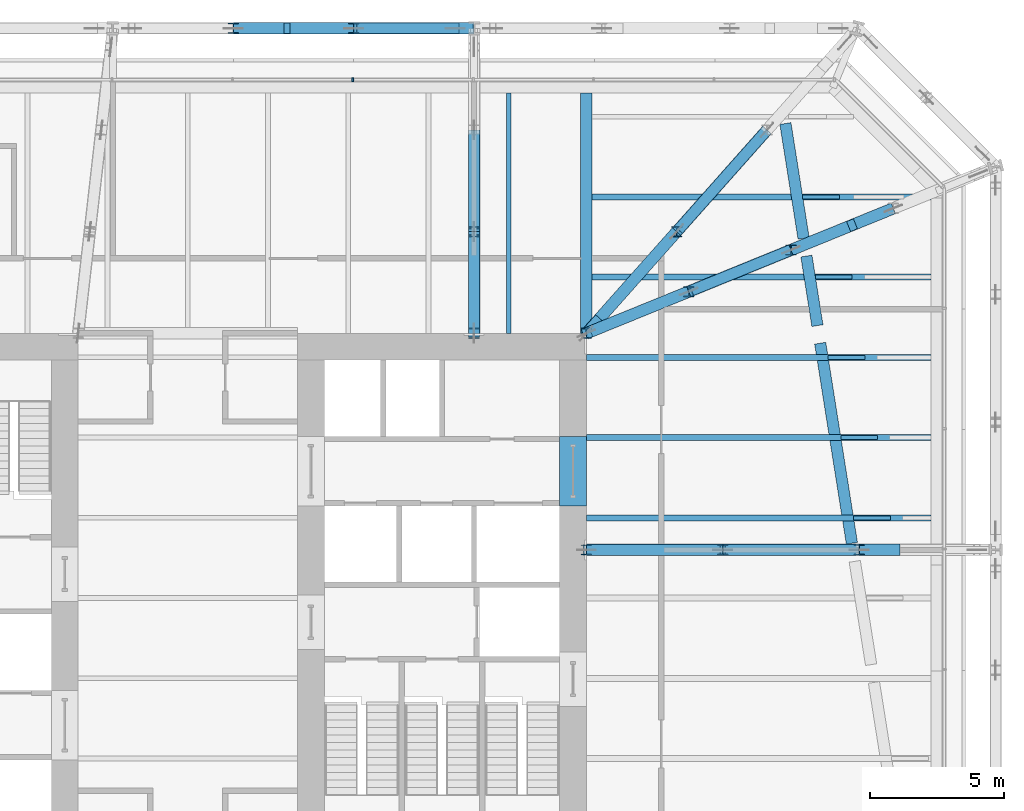
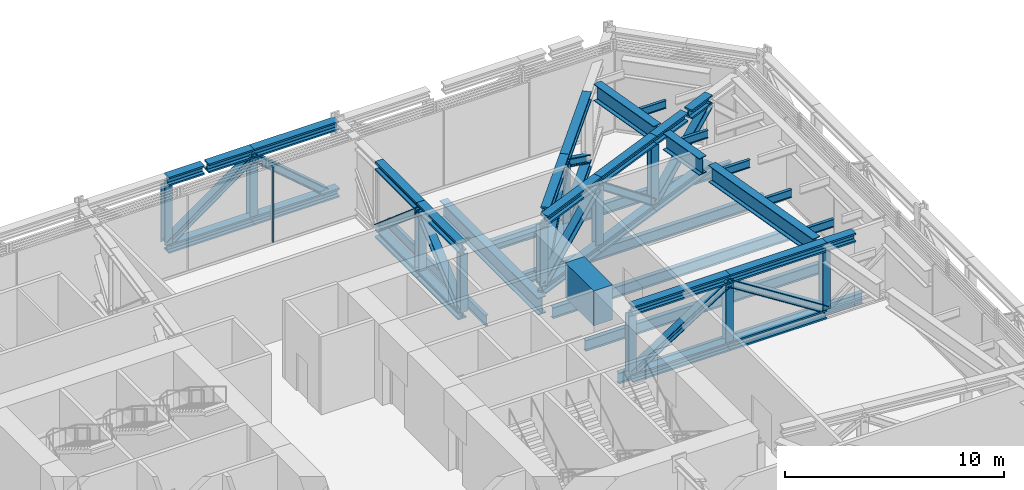
# One storey, part 17 of 31: 41 beams, 23 members, 1 element without a shape of its own.
"""IFC4 building model written with IfcOpenShell, lengths in metres."""

from ifc_helpers import new_model, si_unit, direction, frame, origin, origin_2d, place, context, subcontext, project, spatial, rectangle, i_section, extrude, material, layer, layer_set, material_profile, profile_set, type_object, element, aggregate, save


model = new_model("IFC4")

# Units and contexts
model_context = context("Model", 3, precision=1e-05, world=origin(), true_north=direction((0.0, 1.0)))
body_context = subcontext(model_context, "Body", "Model", "MODEL_VIEW")
ifc_project = project(units=[si_unit("LENGTHUNIT", "METRE"), si_unit("AREAUNIT", "SQUARE_METRE"), si_unit("VOLUMEUNIT", "CUBIC_METRE"), si_unit("PLANEANGLEUNIT", "RADIAN"), si_unit("MASSUNIT", "GRAM", prefix="KILO")], contexts=[model_context])

# Site, building, storey
site_placement = place(None, origin())
site = spatial("IfcSite", under=ifc_project, at=site_placement, CompositionType="ELEMENT")
building_placement = place(site_placement, origin())
building = spatial("IfcBuilding", under=site, at=building_placement, Name="Millrace Tower", CompositionType="ELEMENT")
storey_placement = place(building_placement, frame((0.0, 0.0, 120.39990234375)))
storey = spatial("IfcBuildingStorey", under=building, at=storey_placement, Name="L26", CompositionType="ELEMENT", Elevation=120.39990234375)

# Beams
ifc_material_1 = material(Name="Steel ASTM A992 Grade 50", Category="steel")
ifc_material_profile_1 = material_profile(ifc_material_1, i_section(OverallWidth=0.431884765625, OverallDepth=0.497802734375, WebThickness=0.0556640625, FlangeThickness=0.0888671875, FilletRadius=0.01513671875, at=origin_2d()))
ifc_profile_set_1 = profile_set([ifc_material_profile_1], Name="Steel ASTM A992 Grade 50")
beam_type_1 = type_object("IfcBeamType", Name="Belt truss chord W14x500", PredefinedType="BEAM", material=ifc_profile_set_1)
for number, where, z_axis, x_axis, name in (
    (1, (10.699951171875, 21.300048828125, 0.2490234375), (-1.0, 0.0, 0.0), (0.0, -1.0, 0.0), "BLT-L26-R11-B01"),
    (2, (6.199951171875, 21.300048828125, 0.2490234375), (-1.0, 0.0, 0.0), (0.0, -1.0, 0.0), "BLT-L26-R11-B02"),
):
    element("IfcBeam", number, at=place(storey_placement, frame(where, z_axis=z_axis, x_axis=x_axis)), inside=storey, type_object=beam_type_1, Name=name, PredefinedType="BEAM", context=body_context, shape_type="SweptSolid", body=[
        extrude(i_section(OverallWidth=0.431884765625, OverallDepth=0.497802734375, WebThickness=0.0556640625, FlangeThickness=0.0888671875, FilletRadius=0.01513671875, at=origin_2d()), origin(), (0.0, 0.0, 1.0), 4.5),
    ])
beam_1_placement = place(storey_placement, frame((10.654541015625, 21.300048828125, 3.9912109375), z_axis=(-1.0, 0.0, 0.0), x_axis=(0.0, -1.0, 0.0)))
element("IfcBeam", 3, at=beam_1_placement, inside=storey, type_object=beam_type_1, Name="BLT-L26-R11-T01", PredefinedType="BEAM", context=body_context, shape_type="SweptSolid", body=[
    extrude(i_section(OverallWidth=0.431884765625, OverallDepth=0.497802734375, WebThickness=0.0556640625, FlangeThickness=0.0888671875, FilletRadius=0.01513671875, at=origin_2d()), origin(), (0.0, 0.0, 1.0), 4.45458984375),
])
beam_2_placement = place(storey_placement, frame((6.199951171875, 21.300048828125, 3.9912109375), z_axis=(-1.0, 0.0, 0.0), x_axis=(0.0, -1.0, 0.0)))
element("IfcBeam", 4, at=beam_2_placement, inside=storey, type_object=beam_type_1, Name="BLT-L26-R11-T02-a", PredefinedType="BEAM", context=body_context, shape_type="SweptSolid", body=[
    extrude(i_section(OverallWidth=0.431884765625, OverallDepth=0.497802734375, WebThickness=0.0556640625, FlangeThickness=0.0888671875, FilletRadius=0.01513671875, at=origin_2d()), origin(), (0.0, 0.0, 1.0), 2.381591796875),
])
beam_3_placement = place(storey_placement, frame((3.590087890625, 21.300048828125, 3.9912109375), z_axis=(-1.0, 0.0, 0.0), x_axis=(0.0, -1.0, 0.0)))
element("IfcBeam", 5, at=beam_3_placement, inside=storey, type_object=beam_type_1, Name="BLT-L26-R11-T02-b", PredefinedType="BEAM", context=body_context, shape_type="SweptSolid", body=[
    extrude(i_section(OverallWidth=0.431884765625, OverallDepth=0.497802734375, WebThickness=0.0556640625, FlangeThickness=0.0888671875, FilletRadius=0.01513671875, at=origin_2d()), origin(), (0.0, 0.0, 1.0), 1.89013671875),
])

# Members
ifc_material_2 = material(Name="Steel ASTM A992 Grade 50", Category="steel")
ifc_material_profile_2 = material_profile(ifc_material_2, i_section(OverallWidth=0.4013671875, OverallDepth=0.398681640625, WebThickness=0.02490234375, FlangeThickness=0.03955078125, FilletRadius=0.01513671875, at=origin_2d()))
ifc_profile_set_2 = profile_set([ifc_material_profile_2], Name="Steel ASTM A992 Grade 50")
member_type_1 = type_object("IfcMemberType", Name="Belt truss diagonal W14x211", PredefinedType="BRACE", material=ifc_profile_set_2)
member_1_placement = place(storey_placement, frame((10.0, 21.300048828125, 0.498046875), z_axis=(-0.760545081281, 0.0, 0.649285129461), x_axis=(0.0, -1.0, 0.0)))
element("IfcMember", 6, at=member_1_placement, inside=storey, type_object=member_type_1, Name="BLT-L26-R11-D01", PredefinedType="BRACE", context=body_context, shape_type="SweptSolid", body=[
    extrude(i_section(OverallWidth=0.4013671875, OverallDepth=0.398681640625, WebThickness=0.02490234375, FlangeThickness=0.03955078125, FilletRadius=0.01513671875, at=origin_2d()), origin(), (0.0, 0.0, 1.0), 4.99658203125),
])
member_2_placement = place(storey_placement, frame((1.699951171875, 21.300048828125, 0.498046875), z_axis=(0.811180262828, 0.0, 0.584796187742), x_axis=(0.0, 1.0, 0.0)))
element("IfcMember", 7, at=member_2_placement, inside=storey, type_object=member_type_1, Name="BLT-L26-R11-D02", PredefinedType="BRACE", context=body_context, shape_type="SweptSolid", body=[
    extrude(i_section(OverallWidth=0.4013671875, OverallDepth=0.398681640625, WebThickness=0.02490234375, FlangeThickness=0.03955078125, FilletRadius=0.01513671875, at=origin_2d()), origin(), (0.0, 0.0, 1.0), 5.54736328125),
])
ifc_material_3 = material(Name="Steel ASTM A992 Grade 50", Category="steel")
ifc_material_profile_3 = material_profile(ifc_material_3, i_section(OverallWidth=0.398681640625, OverallDepth=0.385986328125, WebThickness=0.02099609375, FlangeThickness=0.033203125, FilletRadius=0.01513671875, at=origin_2d()))
ifc_profile_set_3 = profile_set([ifc_material_profile_3], Name="Steel ASTM A992 Grade 50")
member_type_2 = type_object("IfcMemberType", Name="Belt truss post W14x176", PredefinedType="POST", material=ifc_profile_set_3)
for number, where, z_axis, x_axis, name in (
    (8, (6.199951171875, 21.300048828125, 0.498046875), (0.0, 0.0, 1.0), (1.0, 0.0, 0.0), "BLT-L26-R11-V01"),
    (9, (1.699951171875, 21.300048828125, 0.498046875), (0.0, 0.0, 1.0), (1.0, 0.0, 0.0), "BLT-L26-R11-V02"),
):
    element("IfcMember", number, at=place(storey_placement, frame(where, z_axis=z_axis, x_axis=x_axis)), inside=storey, type_object=member_type_2, Name=name, PredefinedType="POST", context=body_context, shape_type="SweptSolid", body=[
        extrude(i_section(OverallWidth=0.398681640625, OverallDepth=0.385986328125, WebThickness=0.02099609375, FlangeThickness=0.033203125, FilletRadius=0.01513671875, at=origin_2d()), origin(), (0.0, 0.0, 1.0), 3.244140625),
    ])

# Curtain wall, member
ifc_material_4 = material(Name="Aluminium and glass", Category="aluminium")
ifc_layer = layer(ifc_material_4, 0.14990234375)
ifc_layer_set = layer_set([ifc_layer], Name="Aluminium and glass")
curtain_wall_type = type_object("IfcCurtainWallType", Name="CW-5 truss and plant storey louvred infill", PredefinedType="NOTDEFINED", material=ifc_layer_set)
curtain_wall_placement = place(storey_placement, origin())
curtain_wall = element("IfcCurtainWall", 10, at=curtain_wall_placement, inside=storey, type_object=curtain_wall_type, Name="Curtain wall B-F06 L26", PredefinedType="NOTDEFINED")
ifc_material_5 = material(Name="Aluminium", Category="aluminium")
ifc_material_profile_4 = material_profile(ifc_material_5, rectangle(XDim=0.06494140625, YDim=0.14990234375, at=origin_2d()))
ifc_profile_set_4 = profile_set([ifc_material_profile_4], Name="Aluminium")
member_type_3 = type_object("IfcMemberType", Name="CW-5 truss and plant storey louvred infill mullion", PredefinedType="MULLION", material=ifc_profile_set_4)
member_3_placement = place(storey_placement, frame((6.16748046875, 19.375, 0.14013671875), z_axis=(0.0, 0.0, 1.0), x_axis=(-1.0, 0.0, 0.0)))
member_3 = element("IfcMember", 11, at=member_3_placement, type_object=member_type_3, Name="CW5 mullion B-F06.5", PredefinedType="MULLION", context=body_context, shape_type="SweptSolid", body=[
    extrude(rectangle(XDim=0.06494140625, YDim=0.14990234375, at=origin_2d()), origin(), (0.0, 0.0, 1.0), 4.199951171875),
])
aggregate(curtain_wall, [member_3])

# Beams
ifc_material_6 = material(Name="Concrete C80", Category="concrete")
ifc_material_profile_5 = material_profile(ifc_material_6, rectangle(XDim=1.0, YDim=1.93994140625, at=origin_2d()))
ifc_profile_set_5 = profile_set([ifc_material_profile_5], Name="Concrete C80")
beam_type_2 = type_object("IfcBeamType", Name="Coupling beam 1000 x 1940 Concrete C80, 2000 opening", PredefinedType="BEAM", material=ifc_profile_set_5)
beam_4_placement = place(storey_placement, frame((14.39990234375, 6.050048828125, 3.3701171875), z_axis=(0.0, -1.0, 0.0), x_axis=(1.0, 0.0, 0.0)))
element("IfcBeam", 12, at=beam_4_placement, inside=storey, type_object=beam_type_2, Name="Coupling beam E L26", PredefinedType="BEAM", context=body_context, shape_type="SweptSolid", body=[
    extrude(rectangle(XDim=1.0, YDim=1.93994140625, at=origin_2d()), origin(), (0.0, 0.0, 1.0), 2.60009765625),
])
ifc_material_7 = material(Name="Steel ASTM A992 Grade 50", Category="steel")
ifc_material_profile_6 = material_profile(ifc_material_7, i_section(OverallWidth=0.15234375, OverallDepth=0.449462890625, WebThickness=0.007568359375, FlangeThickness=0.0107421875, FilletRadius=0.01025390625, at=origin_2d()))
ifc_profile_set_6 = profile_set([ifc_material_profile_6], Name="Steel ASTM A992 Grade 50")
beam_type_3 = type_object("IfcBeamType", Name="Floor beam W18x35", PredefinedType="JOIST", material=ifc_profile_set_6)
beam_5_placement = place(storey_placement, frame((24.88916015625, 3.0, 4.115234375), z_axis=(1.0, 0.0, 0.0), x_axis=(0.0, 1.0, 0.0)))
element("IfcBeam", 13, at=beam_5_placement, inside=storey, type_object=beam_type_3, Name="BM-B-L26-R2-S005-a", PredefinedType="JOIST", context=body_context, shape_type="SweptSolid", body=[
    extrude(i_section(OverallWidth=0.15234375, OverallDepth=0.449462890625, WebThickness=0.007568359375, FlangeThickness=0.0107421875, FilletRadius=0.01025390625, at=origin_2d()), origin(), (0.0, 0.0, 1.0), 1.37158203125),
])
for number, where, z_axis, x_axis, name in (
    (14, (24.4140625, 6.0, 4.115234375), (1.0, 0.0, 0.0), (0.0, 1.0, 0.0), "BM-B-L26-R2-S006-a"),
    (15, (23.93896484375, 9.0, 4.115234375), (1.0, 0.0, 0.0), (0.0, 1.0, 0.0), "BM-B-L26-R2-S007-a"),
    (16, (23.4638671875, 12.0, 4.115234375), (1.0, 0.0, 0.0), (0.0, 1.0, 0.0), "BM-B-L26-R2-S008-a"),
):
    element("IfcBeam", number, at=place(storey_placement, frame(where, z_axis=z_axis, x_axis=x_axis)), inside=storey, type_object=beam_type_3, Name=name, PredefinedType="JOIST", context=body_context, shape_type="SweptSolid", body=[
        extrude(i_section(OverallWidth=0.15234375, OverallDepth=0.449462890625, WebThickness=0.007568359375, FlangeThickness=0.0107421875, FilletRadius=0.01025390625, at=origin_2d()), origin(), (0.0, 0.0, 1.0), 1.371337890625),
    ])
beam_6_placement = place(storey_placement, frame((22.988525390625, 15.0, 4.115234375), z_axis=(1.0, 0.0, 0.0), x_axis=(0.0, 1.0, 0.0)))
element("IfcBeam", 17, at=beam_6_placement, inside=storey, type_object=beam_type_3, Name="BM-B-L26-R2-S009-a", PredefinedType="JOIST", context=body_context, shape_type="SweptSolid", body=[
    extrude(i_section(OverallWidth=0.15234375, OverallDepth=0.449462890625, WebThickness=0.007568359375, FlangeThickness=0.0107421875, FilletRadius=0.01025390625, at=origin_2d()), origin(), (0.0, 0.0, 1.0), 1.37158203125),
])
ifc_material_8 = material(Name="Steel ASTM A992 Grade 50", Category="steel")
ifc_material_profile_7 = material_profile(ifc_material_8, i_section(OverallWidth=0.177978515625, OverallDepth=0.599365234375, WebThickness=0.010009765625, FlangeThickness=0.012939453125, FilletRadius=0.012939453125, at=origin_2d()))
ifc_profile_set_7 = profile_set([ifc_material_profile_7], Name="Steel ASTM A992 Grade 50")
beam_type_4 = type_object("IfcBeamType", Name="Floor beam W24x55", PredefinedType="JOIST", material=ifc_profile_set_7)
beam_7_placement = place(storey_placement, frame((12.0, 9.89990234375, -0.549560546875), z_axis=(0.0, 1.0, 0.0), x_axis=(-1.0, 0.0, 0.0)))
element("IfcBeam", 18, at=beam_7_placement, inside=storey, type_object=beam_type_4, Name="BM-B-L26-S1-S056", PredefinedType="JOIST", context=body_context, shape_type="SweptSolid", body=[
    extrude(i_section(OverallWidth=0.177978515625, OverallDepth=0.599365234375, WebThickness=0.010009765625, FlangeThickness=0.012939453125, FilletRadius=0.012939453125, at=origin_2d()), origin(), (0.0, 0.0, 1.0), 8.978515625),
])
ifc_material_9 = material(Name="Steel ASTM A992 Grade 50", Category="steel")
ifc_material_profile_8 = material_profile(ifc_material_9, i_section(OverallWidth=0.228271484375, OverallDepth=0.607177734375, WebThickness=0.01123046875, FlangeThickness=0.017333984375, FilletRadius=0.0126953125, at=origin_2d()))
ifc_profile_set_8 = profile_set([ifc_material_profile_8], Name="Steel ASTM A992 Grade 50")
beam_type_5 = type_object("IfcBeamType", Name="Floor beam W24x76", PredefinedType="JOIST", material=ifc_profile_set_8)
for number, where, z_axis, x_axis, name in (
    (19, (14.89990234375, 3.0, -0.553466796875), (1.0, 0.0, 0.0), (0.0, 1.0, 0.0), "BM-B-L26-S1-S027"),
    (20, (14.89990234375, 6.0, -0.553466796875), (1.0, 0.0, 0.0), (0.0, 1.0, 0.0), "BM-B-L26-S1-S030"),
    (21, (14.89990234375, 9.0, -0.553466796875), (1.0, 0.0, 0.0), (0.0, 1.0, 0.0), "BM-B-L26-S1-S033"),
):
    element("IfcBeam", number, at=place(storey_placement, frame(where, z_axis=z_axis, x_axis=x_axis)), inside=storey, type_object=beam_type_5, Name=name, PredefinedType="JOIST", context=body_context, shape_type="SweptSolid", body=[
        extrude(i_section(OverallWidth=0.228271484375, OverallDepth=0.607177734375, WebThickness=0.01123046875, FlangeThickness=0.017333984375, FilletRadius=0.0126953125, at=origin_2d()), origin(), (0.0, 0.0, 1.0), 12.87841796875),
    ])
for number, where, z_axis, x_axis, name in (
    (22, (15.112060546875, 12.0, -0.553466796875), (1.0, 0.0, 0.0), (0.0, 1.0, 0.0), "BM-B-L26-S1-S035"),
    (23, (15.112060546875, 15.0, -0.553466796875), (1.0, 0.0, 0.0), (0.0, 1.0, 0.0), "BM-B-L26-S1-S037"),
):
    element("IfcBeam", number, at=place(storey_placement, frame(where, z_axis=z_axis, x_axis=x_axis)), inside=storey, type_object=beam_type_5, Name=name, PredefinedType="JOIST", context=body_context, shape_type="SweptSolid", body=[
        extrude(i_section(OverallWidth=0.228271484375, OverallDepth=0.607177734375, WebThickness=0.01123046875, FlangeThickness=0.017333984375, FilletRadius=0.0126953125, at=origin_2d()), origin(), (0.0, 0.0, 1.0), 12.666259765625),
    ])
ifc_material_10 = material(Name="Steel ASTM A992 Grade 50", Category="steel")
ifc_material_profile_9 = material_profile(ifc_material_10, i_section(OverallWidth=0.424072265625, OverallDepth=0.947509765625, WebThickness=0.02392578125, FlangeThickness=0.042724609375, FilletRadius=0.024169921875, at=origin_2d()))
ifc_profile_set_9 = profile_set([ifc_material_profile_9], Name="Steel ASTM A992 Grade 50")
beam_type_6 = type_object("IfcBeamType", Name="Girder short span W36x302", PredefinedType="BEAM", material=ifc_profile_set_9)
beam_8_placement = place(storey_placement, frame((14.89990234375, 9.89990234375, -0.7236328125), z_axis=(0.0, 1.0, 0.0), x_axis=(-1.0, 0.0, 0.0)))
element("IfcBeam", 24, at=beam_8_placement, inside=storey, type_object=beam_type_6, Name="BM-B-L26-S1-G060", PredefinedType="BEAM", context=body_context, shape_type="SweptSolid", body=[
    extrude(i_section(OverallWidth=0.424072265625, OverallDepth=0.947509765625, WebThickness=0.02392578125, FlangeThickness=0.042724609375, FilletRadius=0.024169921875, at=origin_2d()), origin(), (0.0, 0.0, 1.0), 8.978515625),
])
ifc_material_11 = material(Name="Steel ASTM A992 Grade 50", Category="steel")
ifc_material_profile_10 = material_profile(ifc_material_11, i_section(OverallWidth=0.431884765625, OverallDepth=0.497802734375, WebThickness=0.0556640625, FlangeThickness=0.0888671875, FilletRadius=0.01513671875, at=origin_2d()))
ifc_profile_set_10 = profile_set([ifc_material_profile_10], Name="Steel ASTM A992 Grade 50")
beam_type_7 = type_object("IfcBeamType", Name="Outrigger truss chord W14x500", PredefinedType="BEAM", material=ifc_profile_set_10)
for number, where, z_axis, x_axis, name in (
    (25, (14.89990234375, 1.800048828125, 0.2490234375), (1.0, 0.0, 0.0), (0.0, 1.0, 0.0), "BLT-L26-O08-B01"),
    (26, (14.89990234375, 1.800048828125, 3.9912109375), (1.0, 0.0, 0.0), (0.0, 1.0, 0.0), "BLT-L26-O08-T01"),
    (27, (20.0, 1.800048828125, 0.2490234375), (1.0, 0.0, 0.0), (0.0, 1.0, 0.0), "BLT-L26-O08-B02"),
    (28, (20.0, 1.800048828125, 3.9912109375), (1.0, 0.0, 0.0), (0.0, 1.0, 0.0), "BLT-L26-O08-T02"),
):
    element("IfcBeam", number, at=place(storey_placement, frame(where, z_axis=z_axis, x_axis=x_axis)), inside=storey, type_object=beam_type_7, Name=name, PredefinedType="BEAM", context=body_context, shape_type="SweptSolid", body=[
        extrude(i_section(OverallWidth=0.431884765625, OverallDepth=0.497802734375, WebThickness=0.0556640625, FlangeThickness=0.0888671875, FilletRadius=0.01513671875, at=origin_2d()), origin(), (0.0, 0.0, 1.0), 5.10009765625),
    ])
beam_9_placement = place(storey_placement, frame((14.89990234375, 9.89990234375, 0.2490234375), z_axis=(0.926200952381, 0.377030231956, 0.0), x_axis=(-0.377030231956, 0.926200952381, 0.0)))
element("IfcBeam", 29, at=beam_9_placement, inside=storey, type_object=beam_type_7, Name="BLT-L26-O09-B01", PredefinedType="BEAM", context=body_context, shape_type="SweptSolid", body=[
    extrude(i_section(OverallWidth=0.431884765625, OverallDepth=0.497802734375, WebThickness=0.0556640625, FlangeThickness=0.0888671875, FilletRadius=0.01513671875, at=origin_2d()), origin(), (0.0, 0.0, 1.0), 4.1298828125),
])
for number, where, z_axis, x_axis, name in (
    (30, (18.72509765625, 11.45703125, 0.2490234375), (0.926192548504, 0.377050876004, 0.0), (-0.377050876004, 0.926192548504, 0.0), "BLT-L26-O09-B02"),
    (31, (18.72509765625, 11.45703125, 3.9912109375), (0.926192548504, 0.377050876004, 0.0), (-0.377050876004, 0.926192548504, 0.0), "BLT-L26-O09-T02"),
    (32, (22.550048828125, 13.01416015625, 0.2490234375), (0.926192548504, 0.377050876004, 0.0), (-0.377050876004, 0.926192548504, 0.0), "BLT-L26-O09-B03"),
):
    element("IfcBeam", number, at=place(storey_placement, frame(where, z_axis=z_axis, x_axis=x_axis)), inside=storey, type_object=beam_type_7, Name=name, PredefinedType="BEAM", context=body_context, shape_type="SweptSolid", body=[
        extrude(i_section(OverallWidth=0.431884765625, OverallDepth=0.497802734375, WebThickness=0.0556640625, FlangeThickness=0.0888671875, FilletRadius=0.01513671875, at=origin_2d()), origin(), (0.0, 0.0, 1.0), 4.129638671875),
    ])
for number, where, z_axis, x_axis, name in (
    (33, (14.89990234375, 9.89990234375, 0.2490234375), (0.664187936276, 0.747565639463, 0.0), (-0.747565639463, 0.664187936276, 0.0), "BLT-L26-O10-B01"),
    (34, (18.276123046875, 13.699951171875, 0.2490234375), (0.664187936276, 0.747565639463, 0.0), (-0.747565639463, 0.664187936276, 0.0), "BLT-L26-O10-B02"),
    (35, (18.276123046875, 13.699951171875, 3.9912109375), (0.664187936276, 0.747565639463, 0.0), (-0.747565639463, 0.664187936276, 0.0), "BLT-L26-O10-T02"),
):
    element("IfcBeam", number, at=place(storey_placement, frame(where, z_axis=z_axis, x_axis=x_axis)), inside=storey, type_object=beam_type_7, Name=name, PredefinedType="BEAM", context=body_context, shape_type="SweptSolid", body=[
        extrude(i_section(OverallWidth=0.431884765625, OverallDepth=0.497802734375, WebThickness=0.0556640625, FlangeThickness=0.0888671875, FilletRadius=0.01513671875, at=origin_2d()), origin(), (0.0, 0.0, 1.0), 5.083251953125),
    ])
for number, where, z_axis, x_axis, name in (
    (36, (10.699951171875, 9.89990234375, 0.2490234375), (0.0, 1.0, 0.0), (-1.0, 0.0, 0.0), "BLT-L26-O11-B01"),
    (37, (10.699951171875, 9.89990234375, 3.9912109375), (0.0, 1.0, 0.0), (-1.0, 0.0, 0.0), "BLT-L26-O11-T01"),
    (38, (10.699951171875, 13.699951171875, 0.2490234375), (0.0, 1.0, 0.0), (-1.0, 0.0, 0.0), "BLT-L26-O11-B02"),
    (39, (10.699951171875, 13.699951171875, 3.9912109375), (0.0, 1.0, 0.0), (-1.0, 0.0, 0.0), "BLT-L26-O11-T02"),
):
    element("IfcBeam", number, at=place(storey_placement, frame(where, z_axis=z_axis, x_axis=x_axis)), inside=storey, type_object=beam_type_7, Name=name, PredefinedType="BEAM", context=body_context, shape_type="SweptSolid", body=[
        extrude(i_section(OverallWidth=0.431884765625, OverallDepth=0.497802734375, WebThickness=0.0556640625, FlangeThickness=0.0888671875, FilletRadius=0.01513671875, at=origin_2d()), origin(), (0.0, 0.0, 1.0), 3.800048828125),
    ])
beam_10_placement = place(storey_placement, frame((15.06005859375, 9.965087890625, 3.9912109375), z_axis=(0.926200110818, 0.377032299308, 0.0), x_axis=(-0.377032299308, 0.926200110818, 0.0)))
element("IfcBeam", 40, at=beam_10_placement, inside=storey, type_object=beam_type_7, Name="BLT-L26-O09-T01", PredefinedType="BEAM", context=body_context, shape_type="SweptSolid", body=[
    extrude(i_section(OverallWidth=0.431884765625, OverallDepth=0.497802734375, WebThickness=0.0556640625, FlangeThickness=0.0888671875, FilletRadius=0.01513671875, at=origin_2d()), origin(), (0.0, 0.0, 1.0), 3.95703125),
])
beam_11_placement = place(storey_placement, frame((22.550048828125, 13.01416015625, 3.9912109375), z_axis=(0.926184761396, 0.377070003789, 0.0), x_axis=(-0.377070003789, 0.926184761396, 0.0)))
element("IfcBeam", 41, at=beam_11_placement, inside=storey, type_object=beam_type_7, Name="BLT-L26-O09-T03-a", PredefinedType="BEAM", context=body_context, shape_type="SweptSolid", body=[
    extrude(i_section(OverallWidth=0.431884765625, OverallDepth=0.497802734375, WebThickness=0.0556640625, FlangeThickness=0.0888671875, FilletRadius=0.01513671875, at=origin_2d()), origin(), (0.0, 0.0, 1.0), 2.324462890625),
])
beam_12_placement = place(storey_placement, frame((24.957275390625, 13.994140625, 3.9912109375), z_axis=(0.926193465746, 0.377048622873, 0.0), x_axis=(-0.377048622873, 0.926193465746, 0.0)))
element("IfcBeam", 42, at=beam_12_placement, inside=storey, type_object=beam_type_7, Name="BLT-L26-O09-T03-b", PredefinedType="BEAM", context=body_context, shape_type="SweptSolid", body=[
    extrude(i_section(OverallWidth=0.431884765625, OverallDepth=0.497802734375, WebThickness=0.0556640625, FlangeThickness=0.0888671875, FilletRadius=0.01513671875, at=origin_2d()), origin(), (0.0, 0.0, 1.0), 1.53076171875),
])
beam_13_placement = place(storey_placement, frame((15.3955078125, 10.457763671875, 3.9912109375), z_axis=(0.664192615223, 0.747561482343, 0.0), x_axis=(-0.747561482343, 0.664192615223, 0.0)))
element("IfcBeam", 43, at=beam_13_placement, inside=storey, type_object=beam_type_7, Name="BLT-L26-O10-T01", PredefinedType="BEAM", context=body_context, shape_type="SweptSolid", body=[
    extrude(i_section(OverallWidth=0.431884765625, OverallDepth=0.497802734375, WebThickness=0.0556640625, FlangeThickness=0.0888671875, FilletRadius=0.01513671875, at=origin_2d()), origin(), (0.0, 0.0, 1.0), 4.3369140625),
])
beam_14_placement = place(storey_placement, frame((25.10009765625, 1.800048828125, 3.9912109375), z_axis=(1.0, 0.0, 0.0), x_axis=(0.0, 1.0, 0.0)))
element("IfcBeam", 44, at=beam_14_placement, inside=storey, type_object=beam_type_7, Name="BLT-L26-O08-T03-a", PredefinedType="BEAM", context=body_context, shape_type="SweptSolid", body=[
    extrude(i_section(OverallWidth=0.431884765625, OverallDepth=0.497802734375, WebThickness=0.0556640625, FlangeThickness=0.0888671875, FilletRadius=0.01513671875, at=origin_2d()), origin(), (0.0, 0.0, 1.0), 1.533203125),
])

# Members
ifc_material_12 = material(Name="Steel ASTM A992 Grade 50", Category="steel")
ifc_material_profile_11 = material_profile(ifc_material_12, i_section(OverallWidth=0.4013671875, OverallDepth=0.398681640625, WebThickness=0.02490234375, FlangeThickness=0.03955078125, FilletRadius=0.01513671875, at=origin_2d()))
ifc_profile_set_11 = profile_set([ifc_material_profile_11], Name="Steel ASTM A992 Grade 50")
member_type_4 = type_object("IfcMemberType", Name="Outrigger truss diagonal W14x211", PredefinedType="BRACE", material=ifc_profile_set_11)
for number, where, z_axis, x_axis, name in (
    (45, (14.89990234375, 1.800048828125, 0.498046875), (0.843764587602, 0.0, 0.536713443756), (0.0, 1.0, 0.0), "BLT-L26-O08-D01"),
    (46, (25.10009765625, 1.800048828125, 0.498046875), (-0.843764587602, 0.0, 0.536713443756), (0.0, -1.0, 0.0), "BLT-L26-O08-D02"),
):
    element("IfcMember", number, at=place(storey_placement, frame(where, z_axis=z_axis, x_axis=x_axis)), inside=storey, type_object=member_type_4, Name=name, PredefinedType="BRACE", context=body_context, shape_type="SweptSolid", body=[
        extrude(i_section(OverallWidth=0.4013671875, OverallDepth=0.398681640625, WebThickness=0.02490234375, FlangeThickness=0.03955078125, FilletRadius=0.01513671875, at=origin_2d()), origin(), (0.0, 0.0, 1.0), 6.04443359375),
    ])
for number, where, z_axis, x_axis, name in (
    (47, (14.89990234375, 9.89990234375, 0.498046875), (0.728361353727, 0.296495322573, 0.617721832291), (-0.377030231956, 0.926200952381, 0.0), "BLT-L26-O09-D01"),
    (48, (22.550048828125, 13.01416015625, 0.498046875), (-0.728339527358, -0.296505361939, 0.617742748423), (0.377050876004, -0.926192548504, 0.0), "BLT-L26-O09-D02"),
    (49, (22.550048828125, 13.01416015625, 0.498046875), (0.728339527358, 0.296505361939, 0.617742748423), (-0.377050876004, 0.926192548504, 0.0), "BLT-L26-O09-D03"),
):
    element("IfcMember", number, at=place(storey_placement, frame(where, z_axis=z_axis, x_axis=x_axis)), inside=storey, type_object=member_type_4, Name=name, PredefinedType="BRACE", context=body_context, shape_type="SweptSolid", body=[
        extrude(i_section(OverallWidth=0.4013671875, OverallDepth=0.398681640625, WebThickness=0.02490234375, FlangeThickness=0.03955078125, FilletRadius=0.01513671875, at=origin_2d()), origin(), (0.0, 0.0, 1.0), 5.251708984375),
    ])
for number, where, z_axis, x_axis, name in (
    (50, (14.89990234375, 9.89990234375, 0.498046875), (0.559882484066, 0.630166379672, 0.537979495861), (-0.747565639463, 0.664187936276, 0.0), "BLT-L26-O10-D01"),
    (51, (21.65234375, 17.5, 0.498046875), (-0.559882484066, -0.630166379672, 0.537979495861), (0.747565639463, -0.664187936276, 0.0), "BLT-L26-O10-D02"),
):
    element("IfcMember", number, at=place(storey_placement, frame(where, z_axis=z_axis, x_axis=x_axis)), inside=storey, type_object=member_type_4, Name=name, PredefinedType="BRACE", context=body_context, shape_type="SweptSolid", body=[
        extrude(i_section(OverallWidth=0.4013671875, OverallDepth=0.398681640625, WebThickness=0.02490234375, FlangeThickness=0.03955078125, FilletRadius=0.01513671875, at=origin_2d()), origin(), (0.0, 0.0, 1.0), 6.0302734375),
    ])
for number, where, z_axis, x_axis, name in (
    (52, (10.699951171875, 9.89990234375, 0.498046875), (0.0, 0.760545081281, 0.649285129461), (-1.0, 0.0, 0.0), "BLT-L26-O11-D01"),
    (53, (10.699951171875, 17.5, 0.498046875), (0.0, -0.760545081281, 0.649285129461), (1.0, 0.0, 0.0), "BLT-L26-O11-D02"),
):
    element("IfcMember", number, at=place(storey_placement, frame(where, z_axis=z_axis, x_axis=x_axis)), inside=storey, type_object=member_type_4, Name=name, PredefinedType="BRACE", context=body_context, shape_type="SweptSolid", body=[
        extrude(i_section(OverallWidth=0.4013671875, OverallDepth=0.398681640625, WebThickness=0.02490234375, FlangeThickness=0.03955078125, FilletRadius=0.01513671875, at=origin_2d()), origin(), (0.0, 0.0, 1.0), 4.99658203125),
    ])
ifc_material_13 = material(Name="Steel ASTM A992 Grade 50", Category="steel")
ifc_material_profile_12 = material_profile(ifc_material_13, i_section(OverallWidth=0.398681640625, OverallDepth=0.385986328125, WebThickness=0.02099609375, FlangeThickness=0.033203125, FilletRadius=0.01513671875, at=origin_2d()))
ifc_profile_set_12 = profile_set([ifc_material_profile_12], Name="Steel ASTM A992 Grade 50")
member_type_5 = type_object("IfcMemberType", Name="Outrigger truss post W14x176", PredefinedType="POST", material=ifc_profile_set_12)
for number, where, z_axis, x_axis, name in (
    (54, (14.89990234375, 1.800048828125, 0.498046875), (0.0, 0.0, 1.0), (1.0, 0.0, 0.0), "BLT-L26-O08-V00"),
    (55, (20.0, 1.800048828125, 0.498046875), (0.0, 0.0, 1.0), (1.0, 0.0, 0.0), "BLT-L26-O08-V01"),
    (56, (25.10009765625, 1.800048828125, 0.498046875), (0.0, 0.0, 1.0), (1.0, 0.0, 0.0), "BLT-L26-O08-V02"),
    (57, (14.89990234375, 9.89990234375, 0.498046875), (0.0, 0.0, 1.0), (1.0, 0.0, 0.0), "BLT-L26-O09-V00"),
    (58, (18.72509765625, 11.45703125, 0.498046875), (0.0, 0.0, 1.0), (1.0, 0.0, 0.0), "BLT-L26-O09-V01"),
    (59, (22.550048828125, 13.01416015625, 0.498046875), (0.0, 0.0, 1.0), (1.0, 0.0, 0.0), "BLT-L26-O09-V02"),
    (60, (18.276123046875, 13.699951171875, 0.498046875), (0.0, 0.0, 1.0), (1.0, 0.0, 0.0), "BLT-L26-O10-V01"),
    (61, (10.699951171875, 9.89990234375, 0.498046875), (0.0, 0.0, 1.0), (1.0, 0.0, 0.0), "BLT-L26-O11-V00"),
    (62, (10.699951171875, 13.699951171875, 0.498046875), (0.0, 0.0, 1.0), (1.0, 0.0, 0.0), "BLT-L26-O11-V01"),
):
    element("IfcMember", number, at=place(storey_placement, frame(where, z_axis=z_axis, x_axis=x_axis)), inside=storey, type_object=member_type_5, Name=name, PredefinedType="POST", context=body_context, shape_type="SweptSolid", body=[
        extrude(i_section(OverallWidth=0.398681640625, OverallDepth=0.385986328125, WebThickness=0.02099609375, FlangeThickness=0.033203125, FilletRadius=0.01513671875, at=origin_2d()), origin(), (0.0, 0.0, 1.0), 3.244140625),
    ])

# Beams
ifc_material_14 = material(Name="Steel ASTM A992 Grade 50", Category="steel")
ifc_material_profile_13 = material_profile(ifc_material_14, i_section(OverallWidth=0.421630859375, OverallDepth=0.937255859375, WebThickness=0.021240234375, FlangeThickness=0.03662109375, FilletRadius=0.024169921875, at=origin_2d()))
ifc_profile_set_13 = profile_set([ifc_material_profile_13], Name="Steel ASTM A992 Grade 50")
beam_type_8 = type_object("IfcBeamType", Name="Ring beam short span W36x262", PredefinedType="SPANDREL", material=ifc_profile_set_13)
beam_15_placement = place(storey_placement, frame((23.02099609375, 13.447998046875, 3.87158203125), z_axis=(-0.156438155057, 0.987687756147, 0.0), x_axis=(-0.987687756147, -0.156438155057, 0.0)))
element("IfcBeam", 63, at=beam_15_placement, inside=storey, type_object=beam_type_8, Name="RNG-B-L26-R2-05-b-b-b", PredefinedType="SPANDREL", context=body_context, shape_type="SweptSolid", body=[
    extrude(i_section(OverallWidth=0.421630859375, OverallDepth=0.937255859375, WebThickness=0.021240234375, FlangeThickness=0.03662109375, FilletRadius=0.024169921875, at=origin_2d()), origin(), (0.0, 0.0, 1.0), 4.349365234375),
])
beam_16_placement = place(storey_placement, frame((24.826416015625, 2.048828125, 3.87158203125), z_axis=(-0.156432652654, 0.987688627647, 0.0), x_axis=(-0.987688627647, -0.156432652654, 0.0)))
element("IfcBeam", 64, at=beam_16_placement, inside=storey, type_object=beam_type_8, Name="RNG-B-L26-R2-05-b-b-a-a", PredefinedType="SPANDREL", context=body_context, shape_type="SweptSolid", body=[
    extrude(i_section(OverallWidth=0.421630859375, OverallDepth=0.937255859375, WebThickness=0.021240234375, FlangeThickness=0.03662109375, FilletRadius=0.024169921875, at=origin_2d()), origin(), (0.0, 0.0, 1.0), 7.573974609375),
])
beam_17_placement = place(storey_placement, frame((23.537353515625, 10.187255859375, 3.87158203125), z_axis=(-0.156424419326, 0.987689931628, 0.0), x_axis=(-0.987689931628, -0.156424419326, 0.0)))
element("IfcBeam", 65, at=beam_17_placement, inside=storey, type_object=beam_type_8, Name="RNG-B-L26-R2-05-b-b-a-b", PredefinedType="SPANDREL", context=body_context, shape_type="SweptSolid", body=[
    extrude(i_section(OverallWidth=0.421630859375, OverallDepth=0.937255859375, WebThickness=0.021240234375, FlangeThickness=0.03662109375, FilletRadius=0.024169921875, at=origin_2d()), origin(), (0.0, 0.0, 1.0), 2.633056640625),
])

save(model, "model.ifc")
